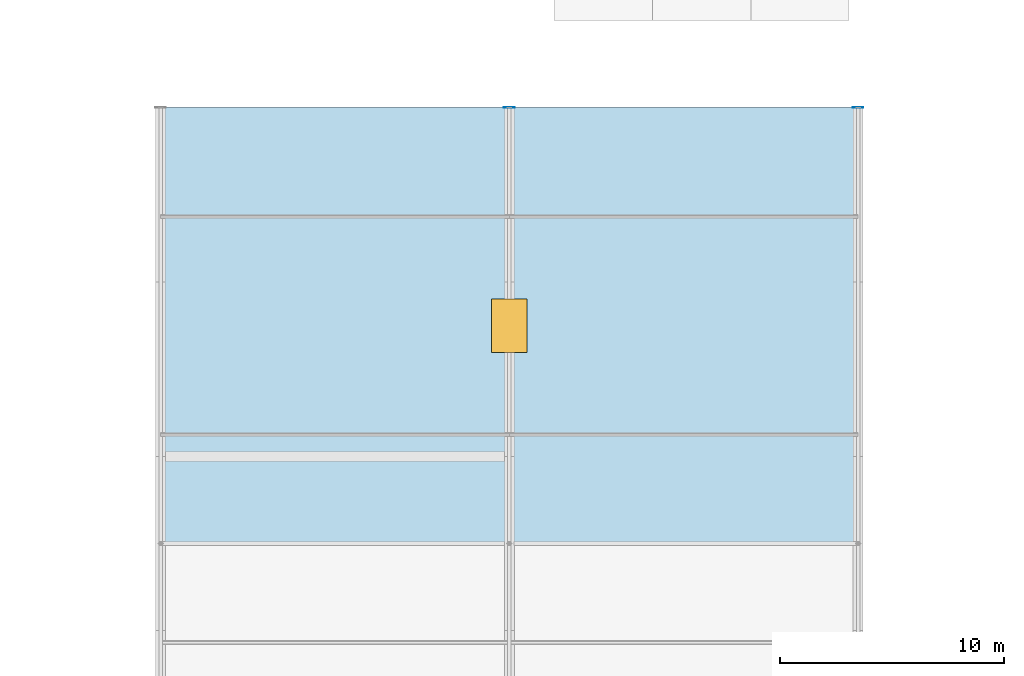
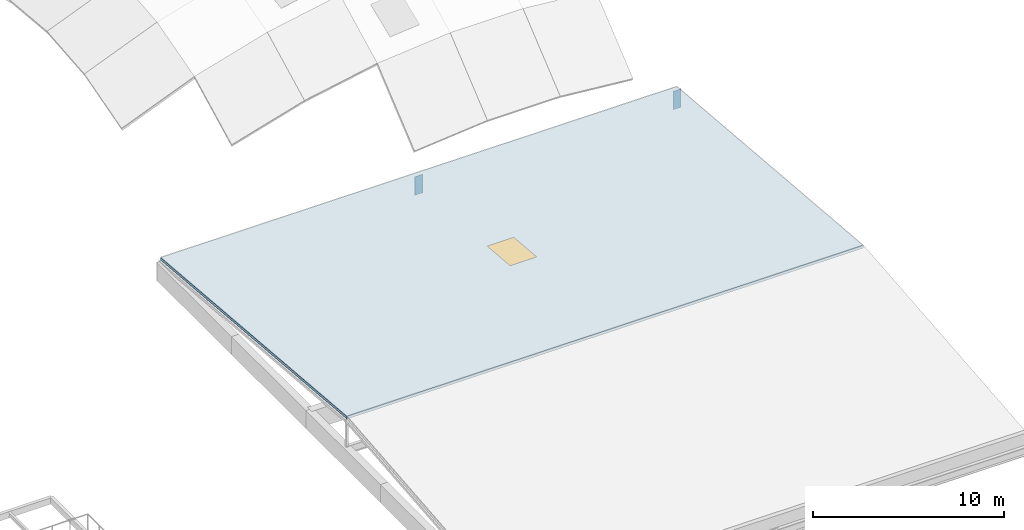
# One storey, part 20 of 45: 2 plates, 1 slab, 1 window, 1 opening.
"""IFC4 building model written with IfcOpenShell, lengths in metres."""

from ifc_helpers import new_model, si_unit, direction, frame, origin, origin_2d, place, context, subcontext, project, spatial, polyline, rectangle, outline, extrude, material, layer, layer_set, type_object, element, fill, save


model = new_model("IFC4")

# Units and contexts
model_context = context("Model", 3, precision=1e-05, world=origin(), true_north=direction((0.0, 1.0)))
body_context = subcontext(model_context, "Body", "Model", "MODEL_VIEW")
ifc_project = project(units=[si_unit("LENGTHUNIT", "METRE"), si_unit("AREAUNIT", "SQUARE_METRE"), si_unit("VOLUMEUNIT", "CUBIC_METRE"), si_unit("PLANEANGLEUNIT", "RADIAN"), si_unit("MASSUNIT", "GRAM", prefix="KILO")], contexts=[model_context])

# Site, building, storey
site_placement = place(None, origin())
site = spatial("IfcSite", under=ifc_project, at=site_placement, CompositionType="ELEMENT")
building_placement = place(site_placement, origin())
building = spatial("IfcBuilding", under=site, at=building_placement, Name="Celorna Specialist Clinic", CompositionType="ELEMENT")
storey_placement = place(building_placement, frame((0.0, 0.0, 18.60009765625)))
storey = spatial("IfcBuildingStorey", under=building, at=storey_placement, Name="L04", CompositionType="ELEMENT", Elevation=18.60009765625)

# Plates
ifc_material_1 = material(Name="Steel S355", Category="steel")
ifc_layer_1 = layer(ifc_material_1, 0.02490234375, Name="Steel S355")
ifc_layer_set_1 = layer_set([ifc_layer_1], Name="Steel S355")
plate_type = type_object("IfcPlateType", Name="EP-01", PredefinedType="SHEET", material=ifc_layer_set_1)
for number, where, z_axis, x_axis, name in (
    (1, (70.199951171875, 42.89990234375, -1.3251953125), (0.0, 0.0, 1.0), (1.0, 0.0, 0.0), "Truss chord end cap plate EP-01 #32"),
    (2, (85.800048828125, 42.89990234375, -1.3251953125), (0.0, 0.0, 1.0), (1.0, 0.0, 0.0), "Truss chord end cap plate EP-01 #54"),
):
    element("IfcPlate", number, at=place(storey_placement, frame(where, z_axis=z_axis, x_axis=x_axis)), inside=storey, type_object=plate_type, Name=name, PredefinedType="SHEET", context=body_context, shape_type="SweptSolid", body=[
        extrude(rectangle(XDim=0.47998046875, YDim=0.02490234375, at=origin_2d()), origin(), (0.0, 0.0, 1.0), 1.179931640625),
    ])

# Slab, opening, window
ifc_material_2 = material(Name="Precast concrete C40/50", Category="concrete")
ifc_layer_2 = layer(ifc_material_2, 0.159912109375, Name="Precast concrete C40/50")
ifc_layer_set_2 = layer_set([ifc_layer_2], Name="Precast concrete C40/50")
slab_type = type_object("IfcSlabType", Name="SL-13", PredefinedType="ROOF", material=ifc_layer_set_2)
slab_placement = place(storey_placement, frame((54.60009765625, 23.39990234375, 1.75), z_axis=(0.0, 0.085337101401, 0.996352136107), x_axis=(1.0, 0.0, 0.0)))
slab = element("IfcSlab", 3, at=slab_placement, inside=storey, type_object=slab_type, Name="Sloped roof slab ROOF-V6-NORTH", PredefinedType="ROOF", context=body_context, shape_type="SweptSolid", body=[
    extrude(outline(polyline([(0.0, 0.0), (31.199951171875, 0.0), (31.199951171875, 19.57139378071344), (0.0, 19.57139378071344), (0.0, 0.0)])), origin(), (0.0, 0.0, -1.0), 0.159912109375),
])
opening_placement = place(slab_placement, frame((15.599853515625, 9.78564453125, 0.010009765625)))
opening = element("IfcOpeningElement", 4, at=opening_placement, cuts=slab, Name="Opening SK-02", PredefinedType="OPENING", context=body_context, shape_type="SweptSolid", body=[
    extrude(rectangle(XDim=1.60009765625, YDim=2.39990234375, at=origin_2d()), origin(), (0.0, 0.0, -1.0), 0.179931640625),
])
ifc_material_3 = material(Name="Outpatient atrium skylight lantern")
window_type = type_object("IfcWindowType", Name="SK-02", PartitioningType="SINGLE_PANEL", PredefinedType="SKYLIGHT", material=ifc_material_3)
window_placement = place(opening_placement, frame((0.0, 0.0, -0.010009765625)))
window = element("IfcWindow", 5, at=window_placement, inside=storey, type_object=window_type, Name="Roof skylight SK-02 on ROOF-V6-NORTH", OverallHeight=2.39990234375, OverallWidth=1.60009765625, PartitioningType="SINGLE_PANEL", PredefinedType="SKYLIGHT", context=body_context, shape_type="SweptSolid", body=[
    extrude(rectangle(XDim=1.60009765625, YDim=2.39990234375, at=origin_2d()), origin(), (0.0, 0.0, -1.0), 0.050048828125),
])
fill(opening, window)

save(model, "model.ifc")
